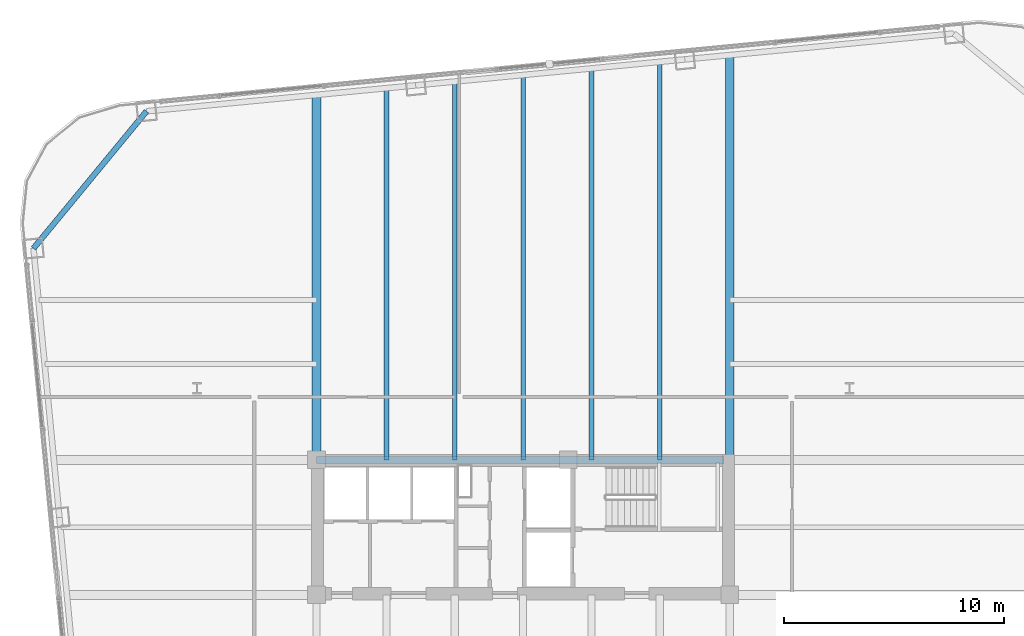
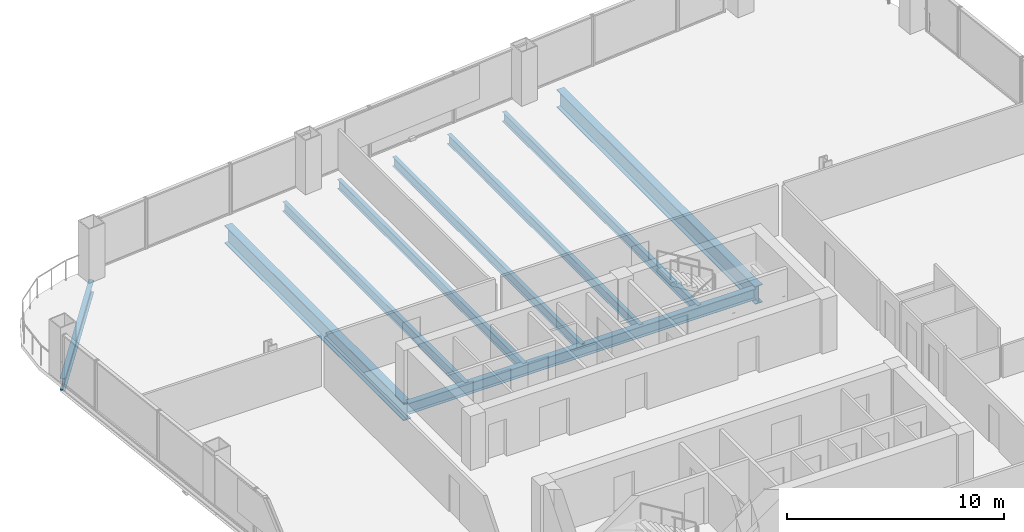
# One storey, part 15 of 27: 9 beams.
"""IFC4 building model written with IfcOpenShell, lengths in metres."""

from ifc_helpers import new_model, si_unit, direction, frame, origin, origin_2d, place, context, subcontext, project, spatial, i_section, extrude, material, material_profile, profile_set, type_object, element, save


model = new_model("IFC4")

# Units and contexts
model_context = context("Model", 3, precision=1e-05, world=origin(), true_north=direction((0.0, 1.0)))
body_context = subcontext(model_context, "Body", "Model", "MODEL_VIEW")
ifc_project = project(units=[si_unit("LENGTHUNIT", "METRE"), si_unit("AREAUNIT", "SQUARE_METRE"), si_unit("VOLUMEUNIT", "CUBIC_METRE"), si_unit("PLANEANGLEUNIT", "RADIAN"), si_unit("MASSUNIT", "GRAM", prefix="KILO")], contexts=[model_context])

# Site, building, storey
site_placement = place(None, origin())
site = spatial("IfcSite", under=ifc_project, at=site_placement, CompositionType="ELEMENT")
building_placement = place(site_placement, origin())
building = spatial("IfcBuilding", under=site, at=building_placement, Name="Qhalaya Broadcast Tower", CompositionType="ELEMENT")
storey_placement = place(building_placement, frame((0.0, 0.0, 75.550048828125)))
storey = spatial("IfcBuildingStorey", under=building, at=storey_placement, Name="L21", CompositionType="ELEMENT", Elevation=75.550048828125)

# Beams
ifc_material = material(Name="Structural Steel ASTM A992 Grade 50", Category="steel")
ifc_material_profile_1 = material_profile(ifc_material, i_section(OverallWidth=0.2099609375, OverallDepth=0.535888671875, WebThickness=0.010986328125, FlangeThickness=0.017333984375, at=origin_2d()), Name="W21X68")
ifc_profile_set_1 = profile_set([ifc_material_profile_1], Name="Structural Steel ASTM A992 Grade 50")
beam_type_1 = type_object("IfcBeamType", Name="Composite Floor Joist J02", PredefinedType="JOIST", material=ifc_profile_set_1)
beam_1_placement = place(storey_placement, frame((-6.199951171875, 9.949951171875, -0.488037109375), z_axis=(0.0, 1.0, 0.0), x_axis=(-1.0, 0.0, 0.0)))
element("IfcBeam", 1, at=beam_1_placement, inside=storey, type_object=beam_type_1, Name="L21 J02 L21-JNN1-1", PredefinedType="JOIST", context=body_context, shape_type="SweptSolid", body=[
    extrude(i_section(OverallWidth=0.2099609375, OverallDepth=0.535888671875, WebThickness=0.010986328125, FlangeThickness=0.017333984375, at=origin_2d()), origin(), (0.0, 0.0, 1.0), 16.843505859375),
])
beam_2_placement = place(storey_placement, frame((-3.10009765625, 9.949951171875, -0.488037109375), z_axis=(0.0, 1.0, 0.0), x_axis=(-1.0, 0.0, 0.0)))
element("IfcBeam", 2, at=beam_2_placement, inside=storey, type_object=beam_type_1, Name="L21 J02 L21-JNN2-1", PredefinedType="JOIST", context=body_context, shape_type="SweptSolid", body=[
    extrude(i_section(OverallWidth=0.2099609375, OverallDepth=0.535888671875, WebThickness=0.010986328125, FlangeThickness=0.017333984375, at=origin_2d()), origin(), (0.0, 0.0, 1.0), 17.14208984375),
])
beam_3_placement = place(storey_placement, frame((0.0, 9.949951171875, -0.488037109375), z_axis=(0.0, 1.0, 0.0), x_axis=(-1.0, 0.0, 0.0)))
element("IfcBeam", 3, at=beam_3_placement, inside=storey, type_object=beam_type_1, Name="L21 J02 L21-JNN3-1", PredefinedType="JOIST", context=body_context, shape_type="SweptSolid", body=[
    extrude(i_section(OverallWidth=0.2099609375, OverallDepth=0.535888671875, WebThickness=0.010986328125, FlangeThickness=0.017333984375, at=origin_2d()), origin(), (0.0, 0.0, 1.0), 17.4404296875),
])
beam_4_placement = place(storey_placement, frame((3.10009765625, 9.949951171875, -0.488037109375), z_axis=(0.0, 1.0, 0.0), x_axis=(-1.0, 0.0, 0.0)))
element("IfcBeam", 4, at=beam_4_placement, inside=storey, type_object=beam_type_1, Name="L21 J02 L21-JNN4-1", PredefinedType="JOIST", context=body_context, shape_type="SweptSolid", body=[
    extrude(i_section(OverallWidth=0.2099609375, OverallDepth=0.535888671875, WebThickness=0.010986328125, FlangeThickness=0.017333984375, at=origin_2d()), origin(), (0.0, 0.0, 1.0), 17.739013671875),
])
beam_5_placement = place(storey_placement, frame((6.199951171875, 9.949951171875, -0.488037109375), z_axis=(0.0, 1.0, 0.0), x_axis=(-1.0, 0.0, 0.0)))
element("IfcBeam", 5, at=beam_5_placement, inside=storey, type_object=beam_type_1, Name="L21 J02 L21-JNN5-1", PredefinedType="JOIST", context=body_context, shape_type="SweptSolid", body=[
    extrude(i_section(OverallWidth=0.2099609375, OverallDepth=0.535888671875, WebThickness=0.010986328125, FlangeThickness=0.017333984375, at=origin_2d()), origin(), (0.0, 0.0, 1.0), 18.03759765625),
])
ifc_material_profile_2 = material_profile(ifc_material, i_section(OverallWidth=0.323974609375, OverallDepth=0.612060546875, WebThickness=0.0126953125, FlangeThickness=0.01904296875, at=origin_2d()), Name="W24X104")
ifc_profile_set_2 = profile_set([ifc_material_profile_2], Name="Structural Steel ASTM A992 Grade 50")
beam_type_2 = type_object("IfcBeamType", Name="Core Frame Tie Beam B04", PredefinedType="BEAM", material=ifc_profile_set_2)
beam_6_placement = place(storey_placement, frame((-9.375, 9.949951171875, -0.526123046875), z_axis=(1.0, 0.0, 0.0), x_axis=(0.0, 1.0, 0.0)))
element("IfcBeam", 6, at=beam_6_placement, inside=storey, type_object=beam_type_2, Name="L21 B04 L21-CCN3", PredefinedType="BEAM", context=body_context, shape_type="SweptSolid", body=[
    extrude(i_section(OverallWidth=0.323974609375, OverallDepth=0.612060546875, WebThickness=0.0126953125, FlangeThickness=0.01904296875, at=origin_2d()), origin(), (0.0, 0.0, 1.0), 18.4951171875),
])
ifc_material_profile_3 = material_profile(ifc_material, i_section(OverallWidth=0.40087890625, OverallDepth=1.010986328125, WebThickness=0.023681640625, FlangeThickness=0.0419921875, at=origin_2d()), Name="W40X297")
ifc_profile_set_3 = profile_set([ifc_material_profile_3], Name="Structural Steel ASTM A992 Grade 50")
beam_type_3 = type_object("IfcBeamType", Name="Lower Block Primary Girder PG2", PredefinedType="USERDEFINED", material=ifc_profile_set_3)
beam_7_placement = place(storey_placement, frame((-9.375, 9.949951171875, -0.7255859375), z_axis=(0.0, 1.0, 0.0), x_axis=(-1.0, 0.0, 0.0)))
element("IfcBeam", 7, at=beam_7_placement, inside=storey, type_object=beam_type_3, Name="L21 PG2 L21-PGXN1-1", ObjectType="GIRDER", PredefinedType="USERDEFINED", context=body_context, shape_type="SweptSolid", body=[
    extrude(i_section(OverallWidth=0.40087890625, OverallDepth=1.010986328125, WebThickness=0.023681640625, FlangeThickness=0.0419921875, at=origin_2d()), origin(), (0.0, 0.0, 1.0), 16.537841796875),
])
beam_8_placement = place(storey_placement, frame((9.375, 9.949951171875, -0.7255859375), z_axis=(0.0, 1.0, 0.0), x_axis=(-1.0, 0.0, 0.0)))
element("IfcBeam", 8, at=beam_8_placement, inside=storey, type_object=beam_type_3, Name="L21 PG2 L21-PGXN2-1", ObjectType="GIRDER", PredefinedType="USERDEFINED", context=body_context, shape_type="SweptSolid", body=[
    extrude(i_section(OverallWidth=0.40087890625, OverallDepth=1.010986328125, WebThickness=0.023681640625, FlangeThickness=0.0419921875, at=origin_2d()), origin(), (0.0, 0.0, 1.0), 18.34326171875),
])
ifc_material_profile_4 = material_profile(ifc_material, i_section(OverallWidth=0.25390625, OverallDepth=0.68310546875, WebThickness=0.012451171875, FlangeThickness=0.01904296875, at=origin_2d()), Name="W27X94")
ifc_profile_set_4 = profile_set([ifc_material_profile_4], Name="Structural Steel ASTM A992 Grade 50")
beam_type_4 = type_object("IfcBeamType", Name="Perimeter Ring Spandrel Beam SP1", PredefinedType="SPANDREL", material=ifc_profile_set_4)
beam_9_placement = place(storey_placement, frame((-17.085205078125, 25.765380859375, -0.5615234375), z_axis=(-0.636085107008, -0.771618906354, 0.0), x_axis=(0.771618906354, -0.636085107008, 0.0)))
element("IfcBeam", 9, at=beam_9_placement, inside=storey, type_object=beam_type_4, Name="L21 SP1 L21-SPR-12", PredefinedType="SPANDREL", context=body_context, shape_type="SweptSolid", body=[
    extrude(i_section(OverallWidth=0.25390625, OverallDepth=0.68310546875, WebThickness=0.012451171875, FlangeThickness=0.01904296875, at=origin_2d()), origin(), (0.0, 0.0, 1.0), 8.06103515625),
])

save(model, "model.ifc")
